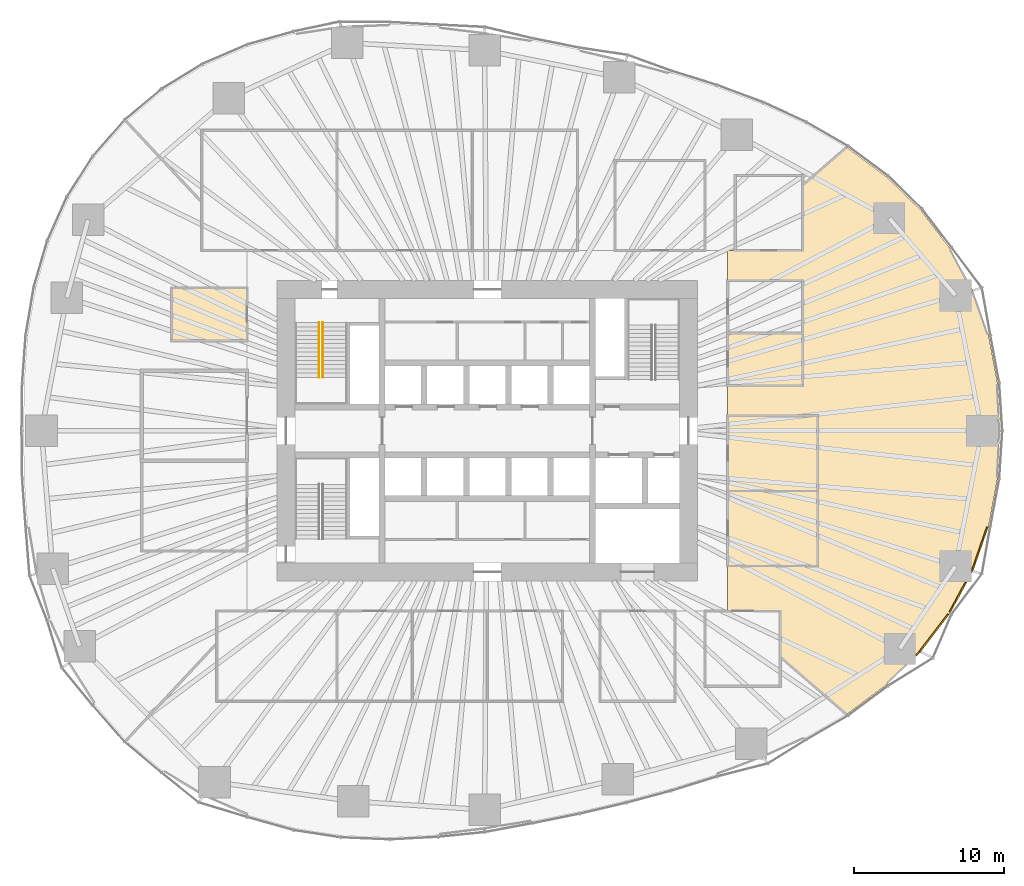
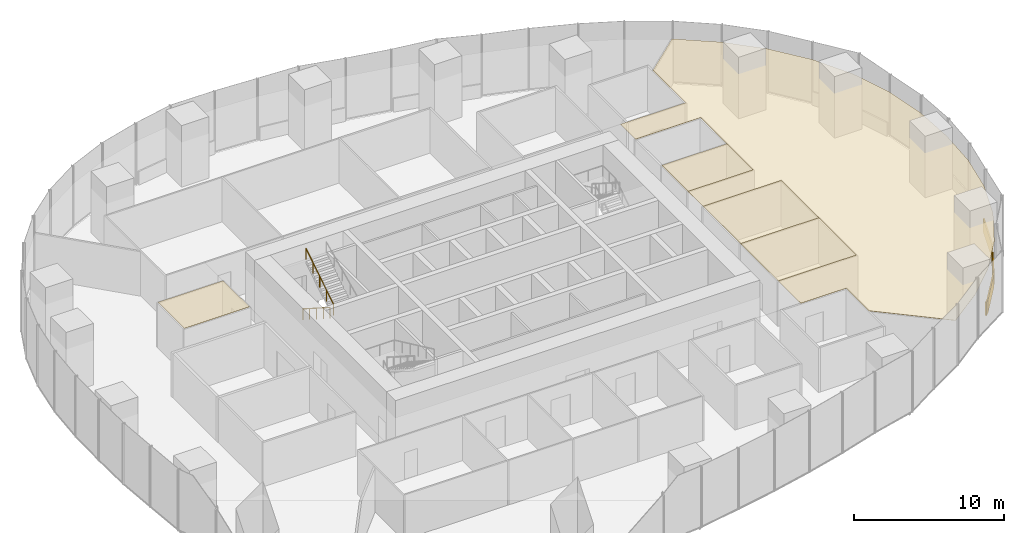
# One storey, part 18 of 20: 9 coverings, 2 railings.
"""IFC4 building model written with IfcOpenShell, lengths in metres."""

from ifc_helpers import new_model, si_unit, direction, frame, origin, origin_2d, place, context, subcontext, project, spatial, polyline, rectangle, circle, outline, extrude, material, layer, layer_set, type_object, element, save


model = new_model("IFC4")

# Units and contexts
model_context = context("Model", 3, precision=1e-05, world=origin(), true_north=direction((0.0, 1.0)))
body_context = subcontext(model_context, "Body", "Model", "MODEL_VIEW")
ifc_project = project(units=[si_unit("LENGTHUNIT", "METRE"), si_unit("AREAUNIT", "SQUARE_METRE"), si_unit("VOLUMEUNIT", "CUBIC_METRE"), si_unit("PLANEANGLEUNIT", "RADIAN"), si_unit("MASSUNIT", "GRAM", prefix="KILO")], contexts=[model_context])

# Site, building, storey
site_placement = place(None, origin())
site = spatial("IfcSite", under=ifc_project, at=site_placement, CompositionType="ELEMENT")
building_placement = place(site_placement, origin())
building = spatial("IfcBuilding", under=site, at=building_placement, Name="Ghaith Harvest Tower", CompositionType="ELEMENT")
storey_placement = place(building_placement, frame((0.0, 0.0, 20.0)))
storey = spatial("IfcBuildingStorey", under=building, at=storey_placement, Name="L04", CompositionType="ELEMENT", Elevation=20.0)

# Coverings
ifc_material_1 = material(Name="Mineral fibre ceiling tile", Category="gypsum")
ifc_layer_1 = layer(ifc_material_1, 0.02490234375)
ifc_layer_set_1 = layer_set([ifc_layer_1], Name="CEILING C2")
covering_type_1 = type_object("IfcCoveringType", Name="CEILING C2", PredefinedType="CEILING", material=ifc_layer_set_1)
covering_1_placement = place(storey_placement, frame((0.0, 0.0, 3.60009765625)))
element("IfcCovering", 1, at=covering_1_placement, inside=storey, type_object=covering_type_1, Name="Ceiling L04-10", PredefinedType="CEILING", context=body_context, shape_type="SweptSolid", body=[
    extrude(outline(polyline([(16.0, -9.0), (22.0, -9.0), (22.0, -4.0), (16.0, -4.0), (16.0, -9.0)])), origin(), (0.0, 0.0, 1.0), 0.02490234375),
])
covering_2_placement = place(storey_placement, frame((0.0, 0.0, 3.60009765625)))
element("IfcCovering", 2, at=covering_2_placement, inside=storey, type_object=covering_type_1, Name="Ceiling L04-11", PredefinedType="CEILING", context=body_context, shape_type="SweptSolid", body=[
    extrude(outline(polyline([(16.0, -4.0), (22.0, -4.0), (22.0, 1.0), (16.0, 1.0), (16.0, -4.0)])), origin(), (0.0, 0.0, 1.0), 0.02490234375),
])
covering_3_placement = place(storey_placement, frame((0.0, 0.0, 3.60009765625)))
element("IfcCovering", 3, at=covering_3_placement, inside=storey, type_object=covering_type_1, Name="Ceiling L04-16", PredefinedType="CEILING", context=body_context, shape_type="SweptSolid", body=[
    extrude(outline(polyline([(16.0, 3.0), (21.0, 3.0), (21.0, 6.5), (16.0, 6.5), (16.0, 3.0)])), origin(), (0.0, 0.0, 1.0), 0.02490234375),
])
covering_4_placement = place(storey_placement, frame((0.0, 0.0, 3.60009765625)))
element("IfcCovering", 4, at=covering_4_placement, inside=storey, type_object=covering_type_1, Name="Ceiling L04-18", PredefinedType="CEILING", context=body_context, shape_type="SweptSolid", body=[
    extrude(outline(polyline([(-21.0, 6.0), (-16.0, 6.0), (-16.0, 9.5), (-21.0, 9.5), (-21.0, 6.0)])), origin(), (0.0, 0.0, 1.0), 0.02490234375),
])
covering_5_placement = place(storey_placement, frame((0.0, 0.0, 3.60009765625)))
element("IfcCovering", 5, at=covering_5_placement, inside=storey, type_object=covering_type_1, Name="Ceiling L04-E1", PredefinedType="CEILING", context=body_context, shape_type="SweptSolid", body=[
    extrude(outline(polyline([(28.840087890625, 14.708984375), (30.78515625, 12.1708984375), (32.318359375, 9.3408203125), (33.37158203125, 6.333984375), (33.95849609375, 3.194091796875), (34.125, 0.0), (33.95849609375, -3.194091796875), (33.37158203125, -6.333984375), (32.318359375, -9.3408203125), (30.78515625, -12.1708984375), (28.840087890625, -14.708984375), (26.572509765625, -16.9111328125), (23.92431640625, -18.873046875), (19.5, -15.03564453125), (19.5, -12.0), (16.0, -12.0), (16.0, -9.0), (22.0, -9.0), (22.0, 1.0), (16.0, 1.0), (16.0, 3.0), (21.0, 3.0), (21.0, 10.0), (16.0, 10.0), (16.0, 12.0), (21.0, 12.0), (21.0, 16.336669921875), (23.92431640625, 18.873046875), (26.572509765625, 16.9111328125), (28.840087890625, 14.708984375)])), origin(), (0.0, 0.0, 1.0), 0.02490234375),
])

# Railings
ifc_material_2 = material(Name="Steel, black powder-coated", Category="steel")
railing_type = type_object("IfcRailingType", Name="HANDRAIL HR1", PredefinedType="HANDRAIL", material=ifc_material_2)
railing_1_placement = place(storey_placement, frame((-11.199951171875, 7.199951171875, 0.178466796875)))
element("IfcRailing", 6, at=railing_1_placement, inside=storey, type_object=railing_type, Name="Handrail HR1 stair ST1 L04 flight 1 inner", PredefinedType="HANDRAIL", context=body_context, shape_type="SweptSolid", body=[
    extrude(circle(Radius=0.02392578125, at=origin_2d()), frame((0.0, 0.0, 0.8759765625), z_axis=(0.0, -0.843111507901, 0.53773877045), x_axis=(1.0, 0.0, 0.0)), (0.0, 0.0, 1.0), 4.317138671875),
    extrude(circle(Radius=0.02099609375, at=origin_2d()), origin(), (0.0, 0.0, 1.0), 0.851806640625),
    extrude(circle(Radius=0.02099609375, at=origin_2d()), frame((0.0, -0.909912109375, 0.580322265625)), (0.0, 0.0, 1.0), 0.851806640625),
    extrude(circle(Radius=0.02099609375, at=origin_2d()), frame((0.0, -1.81982421875, 1.16064453125)), (0.0, 0.0, 1.0), 0.851806640625),
    extrude(circle(Radius=0.02099609375, at=origin_2d()), frame((0.0, -2.72998046875, 1.7412109375)), (0.0, 0.0, 1.0), 0.851806640625),
    extrude(circle(Radius=0.02099609375, at=origin_2d()), frame((0.0, -3.639892578125, 2.321533203125)), (0.0, 0.0, 1.0), 0.851806640625),
])
railing_2_placement = place(storey_placement, frame((-10.949951171875, 3.56005859375, 2.678466796875)))
element("IfcRailing", 7, at=railing_2_placement, inside=storey, type_object=railing_type, Name="Handrail HR1 stair ST1 L04 flight 2 inner", PredefinedType="HANDRAIL", context=body_context, shape_type="SweptSolid", body=[
    extrude(circle(Radius=0.02392578125, at=origin_2d()), frame((0.0, 0.0, 0.8759765625), z_axis=(0.0, 0.843111507901, 0.53773877045), x_axis=(-1.0, 0.0, 0.0)), (0.0, 0.0, 1.0), 4.317138671875),
    extrude(circle(Radius=0.02099609375, at=origin_2d()), origin(), (0.0, 0.0, 1.0), 0.851806640625),
    extrude(circle(Radius=0.02099609375, at=origin_2d()), frame((0.0, 0.909912109375, 0.580322265625)), (0.0, 0.0, 1.0), 0.851806640625),
    extrude(circle(Radius=0.02099609375, at=origin_2d()), frame((0.0, 1.81982421875, 1.16064453125)), (0.0, 0.0, 1.0), 0.851806640625),
    extrude(circle(Radius=0.02099609375, at=origin_2d()), frame((0.0, 2.72998046875, 1.7412109375)), (0.0, 0.0, 1.0), 0.851806640625),
    extrude(circle(Radius=0.02099609375, at=origin_2d()), frame((0.0, 3.639892578125, 2.321533203125)), (0.0, 0.0, 1.0), 0.851806640625),
])

# Coverings
ifc_material_3 = material(Name="Insulated aluminium spandrel panel on steel framing", Category="steel")
ifc_layer_2 = layer(ifc_material_3, 0.10009765625)
ifc_layer_set_2 = layer_set([ifc_layer_2], Name="SLAB EDGE UPSTAND 1100x100")
covering_type_2 = type_object("IfcCoveringType", Name="SLAB EDGE UPSTAND 1100x100", PredefinedType="CLADDING", material=ifc_layer_set_2)
covering_6_placement = place(storey_placement, frame((28.674560546875, -14.800048828125, 0.0), z_axis=(0.0, 0.0, 1.0), x_axis=(0.717386427289, 0.69667547247, 0.0)))
element("IfcCovering", 8, at=covering_6_placement, inside=storey, type_object=covering_type_2, Name="Slab edge upstand 1 bay 19 L04", PredefinedType="CLADDING", context=body_context, shape_type="SweptSolid", body=[
    extrude(rectangle(XDim=0.364501953125, YDim=0.10009765625, at=origin_2d()), origin(), (0.0, 0.0, 1.0), 1.10009765625),
])
covering_7_placement = place(storey_placement, frame((29.74267578125, -13.44921875, 0.0), z_axis=(0.0, 0.0, 1.0), x_axis=(0.608255123652, 0.7937415855, 0.0)))
element("IfcCovering", 9, at=covering_7_placement, inside=storey, type_object=covering_type_2, Name="Slab edge upstand 2 bay 19 L04", PredefinedType="CLADDING", context=body_context, shape_type="SweptSolid", body=[
    extrude(rectangle(XDim=3.09765625, YDim=0.10009765625, at=origin_2d()), origin(), (0.0, 0.0, 1.0), 1.10009765625),
])
covering_8_placement = place(storey_placement, frame((31.32177734375, -11.075439453125, 0.0), z_axis=(0.0, 0.0, 1.0), x_axis=(0.4763492928, 0.879256135178, 0.0)))
element("IfcCovering", 10, at=covering_8_placement, inside=storey, type_object=covering_type_2, Name="Slab edge upstand 3 bay 19 L04", PredefinedType="CLADDING", context=body_context, shape_type="SweptSolid", body=[
    extrude(rectangle(XDim=2.237548828125, YDim=0.10009765625, at=origin_2d()), origin(), (0.0, 0.0, 1.0), 1.10009765625),
])
covering_9_placement = place(storey_placement, frame((32.7822265625, -7.865234375, 0.0), z_axis=(0.0, 0.0, 1.0), x_axis=(0.330597697302, 0.943771774604, 0.0)))
element("IfcCovering", 11, at=covering_9_placement, inside=storey, type_object=covering_type_2, Name="Slab edge upstand 1 bay 20 L04", PredefinedType="CLADDING", context=body_context, shape_type="SweptSolid", body=[
    extrude(rectangle(XDim=3.080078125, YDim=0.10009765625, at=origin_2d()), origin(), (0.0, 0.0, 1.0), 1.10009765625),
])

save(model, "model.ifc")
